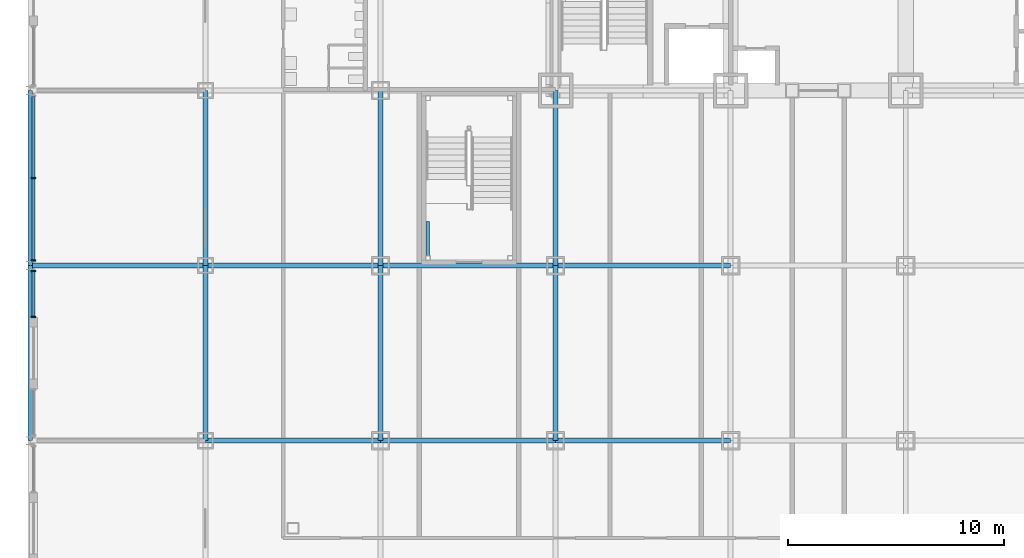
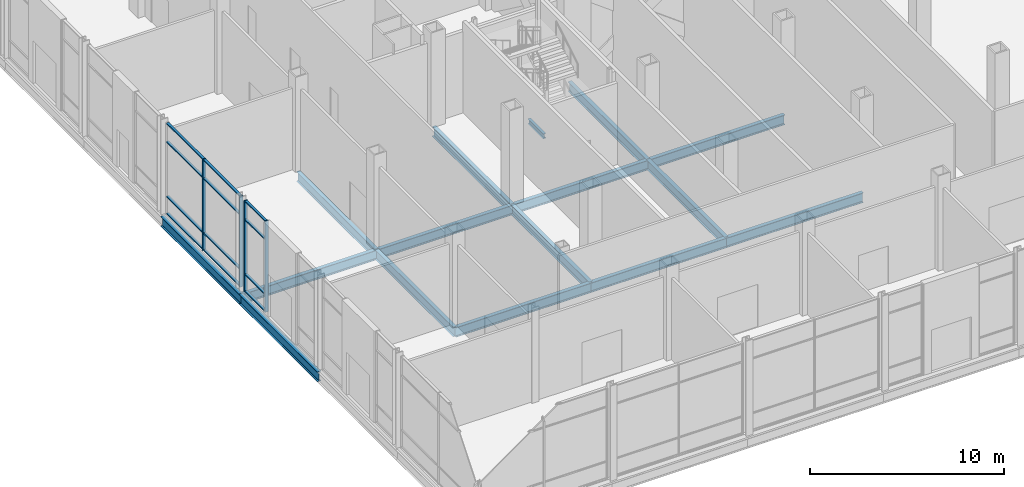
# One storey, part 11 of 35: 16 beams, 16 members, 2 elements without a shape of their own.
"""IFC4 building model written with IfcOpenShell, lengths in metres."""

from ifc_helpers import new_model, si_unit, direction, frame, origin, origin_2d, place, context, subcontext, project, spatial, rectangle, i_section, extrude, material, material_profile, profile_set, type_object, element, aggregate, save


model = new_model("IFC4")

# Units and contexts
model_context = context("Model", 3, precision=1e-05, world=origin(), true_north=direction((0.0, 1.0)))
body_context = subcontext(model_context, "Body", "Model", "MODEL_VIEW")
ifc_project = project(units=[si_unit("LENGTHUNIT", "METRE"), si_unit("AREAUNIT", "SQUARE_METRE"), si_unit("VOLUMEUNIT", "CUBIC_METRE"), si_unit("PLANEANGLEUNIT", "RADIAN"), si_unit("MASSUNIT", "GRAM", prefix="KILO")], contexts=[model_context])

# Site, building, storey
site_placement = place(None, origin())
site = spatial("IfcSite", under=ifc_project, at=site_placement, CompositionType="ELEMENT")
building_placement = place(site_placement, origin())
building = spatial("IfcBuilding", under=site, at=building_placement, Name="Kopane Lantern Tower", CompositionType="ELEMENT")
storey_placement = place(building_placement, origin())
storey = spatial("IfcBuildingStorey", under=building, at=storey_placement, Name="L00", CompositionType="ELEMENT", Elevation=0.0)

# Beams
ifc_material_1 = material(Name="Steel S355JR", Category="steel")
ifc_material_profile_1 = material_profile(ifc_material_1, i_section(OverallWidth=0.22900390625, OverallDepth=0.6123046875, WebThickness=0.011962890625, FlangeThickness=0.01953125, FilletRadius=0.0126953125, at=origin_2d()), Name="UB 610x229x125")
ifc_profile_set_1 = profile_set([ifc_material_profile_1], Name="Steel S355JR")
beam_type_1 = type_object("IfcBeamType", Name="GIRDER UB 610x229x125", PredefinedType="BEAM", material=ifc_profile_set_1)
beam_1_placement = place(storey_placement, frame((-8.10009765625, 8.10009765625, -0.55615234375), z_axis=(0.0, 1.0, 0.0), x_axis=(-1.0, 0.0, 0.0)))
element("IfcBeam", 1, at=beam_1_placement, inside=storey, type_object=beam_type_1, Name="Girder L00", PredefinedType="BEAM", context=body_context, shape_type="SweptSolid", body=[
    extrude(i_section(OverallWidth=0.22900390625, OverallDepth=0.6123046875, WebThickness=0.011962890625, FlangeThickness=0.01953125, FilletRadius=0.0126953125, at=origin_2d()), origin(), (0.0, 0.0, 1.0), 8.099853515625),
])
for number, where, z_axis, x_axis, name in (
    (2, (-8.10009765625, 16.199951171875, -0.55615234375), (0.0, 1.0, 0.0), (-1.0, 0.0, 0.0), "Girder L00"),
    (3, (-8.10009765625, 16.199951171875, -0.55615234375), (1.0, 0.0, 0.0), (0.0, 1.0, 0.0), "Girder L00"),
):
    element("IfcBeam", number, at=place(storey_placement, frame(where, z_axis=z_axis, x_axis=x_axis)), inside=storey, type_object=beam_type_1, Name=name, PredefinedType="BEAM", context=body_context, shape_type="SweptSolid", body=[
        extrude(i_section(OverallWidth=0.22900390625, OverallDepth=0.6123046875, WebThickness=0.011962890625, FlangeThickness=0.01953125, FilletRadius=0.0126953125, at=origin_2d()), origin(), (0.0, 0.0, 1.0), 8.10009765625),
    ])
beam_2_placement = place(storey_placement, frame((0.0, 8.10009765625, -0.55615234375), z_axis=(0.0, 1.0, 0.0), x_axis=(-1.0, 0.0, 0.0)))
element("IfcBeam", 4, at=beam_2_placement, inside=storey, type_object=beam_type_1, Name="Girder L00", PredefinedType="BEAM", context=body_context, shape_type="SweptSolid", body=[
    extrude(i_section(OverallWidth=0.22900390625, OverallDepth=0.6123046875, WebThickness=0.011962890625, FlangeThickness=0.01953125, FilletRadius=0.0126953125, at=origin_2d()), origin(), (0.0, 0.0, 1.0), 8.099853515625),
])
for number, where, z_axis, x_axis, name in (
    (5, (0.0, 8.10009765625, -0.55615234375), (1.0, 0.0, 0.0), (0.0, 1.0, 0.0), "Girder L00"),
    (6, (0.0, 16.199951171875, -0.55615234375), (0.0, 1.0, 0.0), (-1.0, 0.0, 0.0), "Girder L00"),
    (7, (0.0, 16.199951171875, -0.55615234375), (1.0, 0.0, 0.0), (0.0, 1.0, 0.0), "Girder L00"),
):
    element("IfcBeam", number, at=place(storey_placement, frame(where, z_axis=z_axis, x_axis=x_axis)), inside=storey, type_object=beam_type_1, Name=name, PredefinedType="BEAM", context=body_context, shape_type="SweptSolid", body=[
        extrude(i_section(OverallWidth=0.22900390625, OverallDepth=0.6123046875, WebThickness=0.011962890625, FlangeThickness=0.01953125, FilletRadius=0.0126953125, at=origin_2d()), origin(), (0.0, 0.0, 1.0), 8.10009765625),
    ])
for number, where, z_axis, x_axis, name in (
    (8, (8.10009765625, 8.10009765625, -0.55615234375), (0.0, 1.0, 0.0), (-1.0, 0.0, 0.0), "Girder L00"),
    (9, (8.10009765625, 8.10009765625, -0.55615234375), (1.0, 0.0, 0.0), (0.0, 1.0, 0.0), "Girder L00"),
):
    element("IfcBeam", number, at=place(storey_placement, frame(where, z_axis=z_axis, x_axis=x_axis)), inside=storey, type_object=beam_type_1, Name=name, PredefinedType="BEAM", context=body_context, shape_type="SweptSolid", body=[
        extrude(i_section(OverallWidth=0.22900390625, OverallDepth=0.6123046875, WebThickness=0.011962890625, FlangeThickness=0.01953125, FilletRadius=0.0126953125, at=origin_2d()), origin(), (0.0, 0.0, 1.0), 8.099853515625),
    ])
beam_3_placement = place(storey_placement, frame((8.10009765625, 16.199951171875, -0.55615234375), z_axis=(0.0, 1.0, 0.0), x_axis=(-1.0, 0.0, 0.0)))
element("IfcBeam", 10, at=beam_3_placement, inside=storey, type_object=beam_type_1, Name="Girder L00", PredefinedType="BEAM", context=body_context, shape_type="SweptSolid", body=[
    extrude(i_section(OverallWidth=0.22900390625, OverallDepth=0.6123046875, WebThickness=0.011962890625, FlangeThickness=0.01953125, FilletRadius=0.0126953125, at=origin_2d()), origin(), (0.0, 0.0, 1.0), 8.10009765625),
])
for number, where, z_axis, x_axis, name in (
    (11, (8.10009765625, 16.199951171875, -0.55615234375), (1.0, 0.0, 0.0), (0.0, 1.0, 0.0), "Girder L00"),
    (12, (16.199951171875, 8.10009765625, -0.55615234375), (0.0, 1.0, 0.0), (-1.0, 0.0, 0.0), "Girder L00"),
):
    element("IfcBeam", number, at=place(storey_placement, frame(where, z_axis=z_axis, x_axis=x_axis)), inside=storey, type_object=beam_type_1, Name=name, PredefinedType="BEAM", context=body_context, shape_type="SweptSolid", body=[
        extrude(i_section(OverallWidth=0.22900390625, OverallDepth=0.6123046875, WebThickness=0.011962890625, FlangeThickness=0.01953125, FilletRadius=0.0126953125, at=origin_2d()), origin(), (0.0, 0.0, 1.0), 8.099853515625),
    ])
for number, where, z_axis, x_axis, name in (
    (13, (16.199951171875, 8.10009765625, -0.55615234375), (1.0, 0.0, 0.0), (0.0, 1.0, 0.0), "Girder L00"),
    (14, (16.199951171875, 16.199951171875, -0.55615234375), (0.0, 1.0, 0.0), (-1.0, 0.0, 0.0), "Girder L00"),
    (15, (16.199951171875, 16.199951171875, -0.55615234375), (1.0, 0.0, 0.0), (0.0, 1.0, 0.0), "Girder L00"),
):
    element("IfcBeam", number, at=place(storey_placement, frame(where, z_axis=z_axis, x_axis=x_axis)), inside=storey, type_object=beam_type_1, Name=name, PredefinedType="BEAM", context=body_context, shape_type="SweptSolid", body=[
        extrude(i_section(OverallWidth=0.22900390625, OverallDepth=0.6123046875, WebThickness=0.011962890625, FlangeThickness=0.01953125, FilletRadius=0.0126953125, at=origin_2d()), origin(), (0.0, 0.0, 1.0), 8.10009765625),
    ])

# Curtain wall, members
ifc_material_2 = material(Name="Aluminium and clear glass", Category="aluminium")
curtain_wall_type = type_object("IfcCurtainWallType", Name="CURTAIN WALL CW1 PODIUM STOREFRONT", PredefinedType="USERDEFINED", material=ifc_material_2)
curtain_wall_1_placement = place(storey_placement, origin())
curtain_wall_1 = element("IfcCurtainWall", 16, at=curtain_wall_1_placement, inside=storey, type_object=curtain_wall_type, Name="Curtain wall CW1 W L00", ObjectType="CURTAIN WALL", PredefinedType="USERDEFINED")
ifc_material_3 = material(Name="Aluminium", Category="aluminium")
ifc_material_profile_2 = material_profile(ifc_material_3, rectangle(XDim=0.06494140625, YDim=0.199951171875, at=origin_2d()), Name="AL 65x200")
ifc_profile_set_2 = profile_set([ifc_material_profile_2], Name="Aluminium")
member_type_1 = type_object("IfcMemberType", Name="MULLION CW1-M 65x200", PredefinedType="MULLION", material=ifc_profile_set_2)
member_1_placement = place(storey_placement, frame((-7.949951171875, 20.25, 0.0), z_axis=(0.0, 0.0, 1.0), x_axis=(0.0, -1.0, 0.0)))
member_1 = element("IfcMember", 17, at=member_1_placement, type_object=member_type_1, Name="CW1 mullion 2", PredefinedType="MULLION", context=body_context, shape_type="SweptSolid", body=[
    extrude(rectangle(XDim=0.06494140625, YDim=0.199951171875, at=origin_2d()), origin(), (0.0, 0.0, 1.0), 5.75),
])
member_2_placement = place(storey_placement, frame((-7.949951171875, 16.440673828125, 0.0), z_axis=(0.0, 0.0, 1.0), x_axis=(0.0, -1.0, 0.0)))
member_2 = element("IfcMember", 18, at=member_2_placement, type_object=member_type_1, Name="CW1 mullion 3", PredefinedType="MULLION", context=body_context, shape_type="SweptSolid", body=[
    extrude(rectangle(XDim=0.06494140625, YDim=0.199951171875, at=origin_2d()), origin(), (0.0, 0.0, 1.0), 5.75),
])

curtain_wall_2_placement = place(storey_placement, origin())
curtain_wall_2 = element("IfcCurtainWall", 19, at=curtain_wall_2_placement, inside=storey, type_object=curtain_wall_type, Name="Curtain wall CW1 W L00", ObjectType="CURTAIN WALL", PredefinedType="USERDEFINED")
member_3_placement = place(storey_placement, frame((-7.949951171875, 15.959228515625, 0.0), z_axis=(0.0, 0.0, 1.0), x_axis=(0.0, -1.0, 0.0)))
member_3 = element("IfcMember", 20, at=member_3_placement, type_object=member_type_1, Name="CW1 mullion 1", PredefinedType="MULLION", context=body_context, shape_type="SweptSolid", body=[
    extrude(rectangle(XDim=0.06494140625, YDim=0.199951171875, at=origin_2d()), origin(), (0.0, 0.0, 1.0), 5.75),
])
member_4_placement = place(storey_placement, frame((-7.949951171875, 13.83251953125, 0.0), z_axis=(0.0, 0.0, 1.0), x_axis=(0.0, -1.0, 0.0)))
member_4 = element("IfcMember", 21, at=member_4_placement, type_object=member_type_1, Name="CW1 mullion 2", PredefinedType="MULLION", context=body_context, shape_type="SweptSolid", body=[
    extrude(rectangle(XDim=0.06494140625, YDim=0.199951171875, at=origin_2d()), origin(), (0.0, 0.0, 1.0), 5.75),
])

# Beam
ifc_material_4 = material(Name="Steel S355JR", Category="steel")
ifc_material_profile_3 = material_profile(ifc_material_4, i_section(OverallWidth=0.1650390625, OverallDepth=0.303466796875, WebThickness=0.006103515625, FlangeThickness=0.01025390625, FilletRadius=0.0087890625, at=origin_2d()), Name="UB 305x165x40")
ifc_profile_set_3 = profile_set([ifc_material_profile_3], Name="Steel S355JR")
beam_type_2 = type_object("IfcBeamType", Name="STAIR LANDING BEAM UB 305x165x40", PredefinedType="BEAM", material=ifc_profile_set_3)
beam_4_placement = place(storey_placement, frame((10.282470703125, 16.64990234375, 2.981689453125), z_axis=(0.0, 1.0, 0.0), x_axis=(-1.0, 0.0, 0.0)))
element("IfcBeam", 22, at=beam_4_placement, inside=storey, type_object=beam_type_2, Name="Stair landing beam ST3 L00", PredefinedType="BEAM", context=body_context, shape_type="SweptSolid", body=[
    extrude(i_section(OverallWidth=0.1650390625, OverallDepth=0.303466796875, WebThickness=0.006103515625, FlangeThickness=0.01025390625, FilletRadius=0.0087890625, at=origin_2d()), origin(), (0.0, 0.0, 1.0), 1.60009765625),
])

# Member
ifc_material_5 = material(Name="Aluminium", Category="aluminium")
ifc_material_profile_4 = material_profile(ifc_material_5, rectangle(XDim=0.14990234375, YDim=0.06494140625, at=origin_2d()), Name="AL 150x65")
ifc_profile_set_4 = profile_set([ifc_material_profile_4], Name="Aluminium")
member_type_2 = type_object("IfcMemberType", Name="TRANSOM CW1-T 65x150", PredefinedType="USERDEFINED", material=ifc_profile_set_4)
member_5_placement = place(storey_placement, frame((-7.949951171875, 24.02685546875, 0.032470703125), z_axis=(0.0, -1.0, 0.0), x_axis=(1.0, 0.0, 0.0)))
member_5 = element("IfcMember", 23, at=member_5_placement, type_object=member_type_2, Name="CW1 transom 1.1", ObjectType="TRANSOM", PredefinedType="USERDEFINED", context=body_context, shape_type="SweptSolid", body=[
    extrude(rectangle(XDim=0.14990234375, YDim=0.06494140625, at=origin_2d()), origin(), (0.0, 0.0, 1.0), 3.744384765625),
])

member_6_placement = place(storey_placement, frame((-7.949951171875, 24.02685546875, 1.10009765625), z_axis=(0.0, -1.0, 0.0), x_axis=(1.0, 0.0, 0.0)))
member_6 = element("IfcMember", 24, at=member_6_placement, type_object=member_type_2, Name="CW1 transom 1.2", ObjectType="TRANSOM", PredefinedType="USERDEFINED", context=body_context, shape_type="SweptSolid", body=[
    extrude(rectangle(XDim=0.14990234375, YDim=0.06494140625, at=origin_2d()), origin(), (0.0, 0.0, 1.0), 3.744384765625),
])

member_7_placement = place(storey_placement, frame((-7.949951171875, 24.02685546875, 4.550048828125), z_axis=(0.0, -1.0, 0.0), x_axis=(1.0, 0.0, 0.0)))
member_7 = element("IfcMember", 25, at=member_7_placement, type_object=member_type_2, Name="CW1 transom 1.3", ObjectType="TRANSOM", PredefinedType="USERDEFINED", context=body_context, shape_type="SweptSolid", body=[
    extrude(rectangle(XDim=0.14990234375, YDim=0.06494140625, at=origin_2d()), origin(), (0.0, 0.0, 1.0), 3.744384765625),
])

member_8_placement = place(storey_placement, frame((-7.949951171875, 24.02685546875, 5.717529296875), z_axis=(0.0, -1.0, 0.0), x_axis=(1.0, 0.0, 0.0)))
member_8 = element("IfcMember", 26, at=member_8_placement, type_object=member_type_2, Name="CW1 transom 1.4", ObjectType="TRANSOM", PredefinedType="USERDEFINED", context=body_context, shape_type="SweptSolid", body=[
    extrude(rectangle(XDim=0.14990234375, YDim=0.06494140625, at=origin_2d()), origin(), (0.0, 0.0, 1.0), 3.744384765625),
])

member_9_placement = place(storey_placement, frame((-7.949951171875, 20.217529296875, 0.032470703125), z_axis=(0.0, -1.0, 0.0), x_axis=(1.0, 0.0, 0.0)))
member_9 = element("IfcMember", 27, at=member_9_placement, type_object=member_type_2, Name="CW1 transom 2.1", ObjectType="TRANSOM", PredefinedType="USERDEFINED", context=body_context, shape_type="SweptSolid", body=[
    extrude(rectangle(XDim=0.14990234375, YDim=0.06494140625, at=origin_2d()), origin(), (0.0, 0.0, 1.0), 3.744384765625),
])

member_10_placement = place(storey_placement, frame((-7.949951171875, 20.217529296875, 1.10009765625), z_axis=(0.0, -1.0, 0.0), x_axis=(1.0, 0.0, 0.0)))
member_10 = element("IfcMember", 28, at=member_10_placement, type_object=member_type_2, Name="CW1 transom 2.2", ObjectType="TRANSOM", PredefinedType="USERDEFINED", context=body_context, shape_type="SweptSolid", body=[
    extrude(rectangle(XDim=0.14990234375, YDim=0.06494140625, at=origin_2d()), origin(), (0.0, 0.0, 1.0), 3.744384765625),
])

member_11_placement = place(storey_placement, frame((-7.949951171875, 20.217529296875, 4.550048828125), z_axis=(0.0, -1.0, 0.0), x_axis=(1.0, 0.0, 0.0)))
member_11 = element("IfcMember", 29, at=member_11_placement, type_object=member_type_2, Name="CW1 transom 2.3", ObjectType="TRANSOM", PredefinedType="USERDEFINED", context=body_context, shape_type="SweptSolid", body=[
    extrude(rectangle(XDim=0.14990234375, YDim=0.06494140625, at=origin_2d()), origin(), (0.0, 0.0, 1.0), 3.744384765625),
])

member_12_placement = place(storey_placement, frame((-7.949951171875, 20.217529296875, 5.717529296875), z_axis=(0.0, -1.0, 0.0), x_axis=(1.0, 0.0, 0.0)))
member_12 = element("IfcMember", 30, at=member_12_placement, type_object=member_type_2, Name="CW1 transom 2.4", ObjectType="TRANSOM", PredefinedType="USERDEFINED", context=body_context, shape_type="SweptSolid", body=[
    extrude(rectangle(XDim=0.14990234375, YDim=0.06494140625, at=origin_2d()), origin(), (0.0, 0.0, 1.0), 3.744384765625),
])

aggregate(curtain_wall_1, [member_1, member_2, member_5, member_6, member_7, member_8, member_9, member_10, member_11, member_12])

member_13_placement = place(storey_placement, frame((-7.949951171875, 15.9267578125, 0.032470703125), z_axis=(0.0, -1.0, 0.0), x_axis=(1.0, 0.0, 0.0)))
member_13 = element("IfcMember", 31, at=member_13_placement, type_object=member_type_2, Name="CW1 transom 1.1", ObjectType="TRANSOM", PredefinedType="USERDEFINED", context=body_context, shape_type="SweptSolid", body=[
    extrude(rectangle(XDim=0.14990234375, YDim=0.06494140625, at=origin_2d()), origin(), (0.0, 0.0, 1.0), 2.061767578125),
])

member_14_placement = place(storey_placement, frame((-7.949951171875, 15.9267578125, 1.10009765625), z_axis=(0.0, -1.0, 0.0), x_axis=(1.0, 0.0, 0.0)))
member_14 = element("IfcMember", 32, at=member_14_placement, type_object=member_type_2, Name="CW1 transom 1.2", ObjectType="TRANSOM", PredefinedType="USERDEFINED", context=body_context, shape_type="SweptSolid", body=[
    extrude(rectangle(XDim=0.14990234375, YDim=0.06494140625, at=origin_2d()), origin(), (0.0, 0.0, 1.0), 2.061767578125),
])

member_15_placement = place(storey_placement, frame((-7.949951171875, 15.9267578125, 4.550048828125), z_axis=(0.0, -1.0, 0.0), x_axis=(1.0, 0.0, 0.0)))
member_15 = element("IfcMember", 33, at=member_15_placement, type_object=member_type_2, Name="CW1 transom 1.3", ObjectType="TRANSOM", PredefinedType="USERDEFINED", context=body_context, shape_type="SweptSolid", body=[
    extrude(rectangle(XDim=0.14990234375, YDim=0.06494140625, at=origin_2d()), origin(), (0.0, 0.0, 1.0), 2.061767578125),
])

member_16_placement = place(storey_placement, frame((-7.949951171875, 15.9267578125, 5.717529296875), z_axis=(0.0, -1.0, 0.0), x_axis=(1.0, 0.0, 0.0)))
member_16 = element("IfcMember", 34, at=member_16_placement, type_object=member_type_2, Name="CW1 transom 1.4", ObjectType="TRANSOM", PredefinedType="USERDEFINED", context=body_context, shape_type="SweptSolid", body=[
    extrude(rectangle(XDim=0.14990234375, YDim=0.06494140625, at=origin_2d()), origin(), (0.0, 0.0, 1.0), 2.061767578125),
])

aggregate(curtain_wall_2, [member_3, member_4, member_13, member_14, member_15, member_16])

save(model, "model.ifc")
